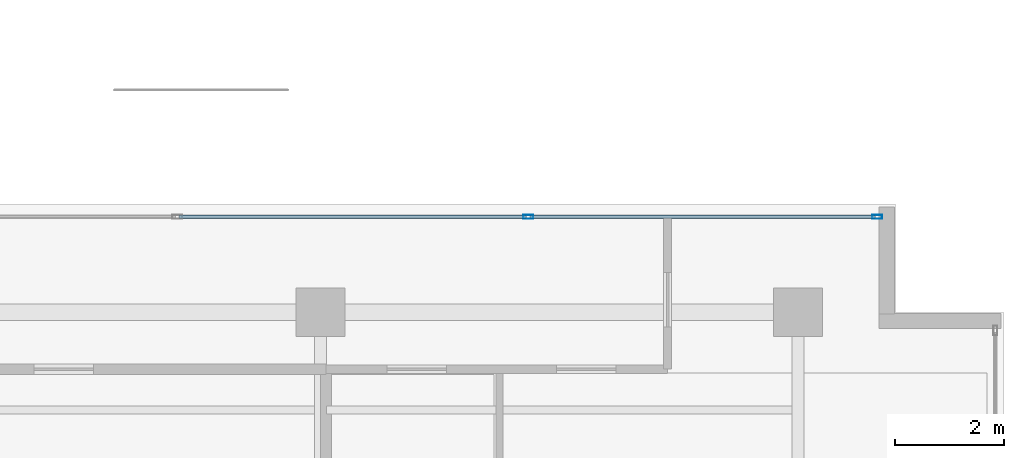
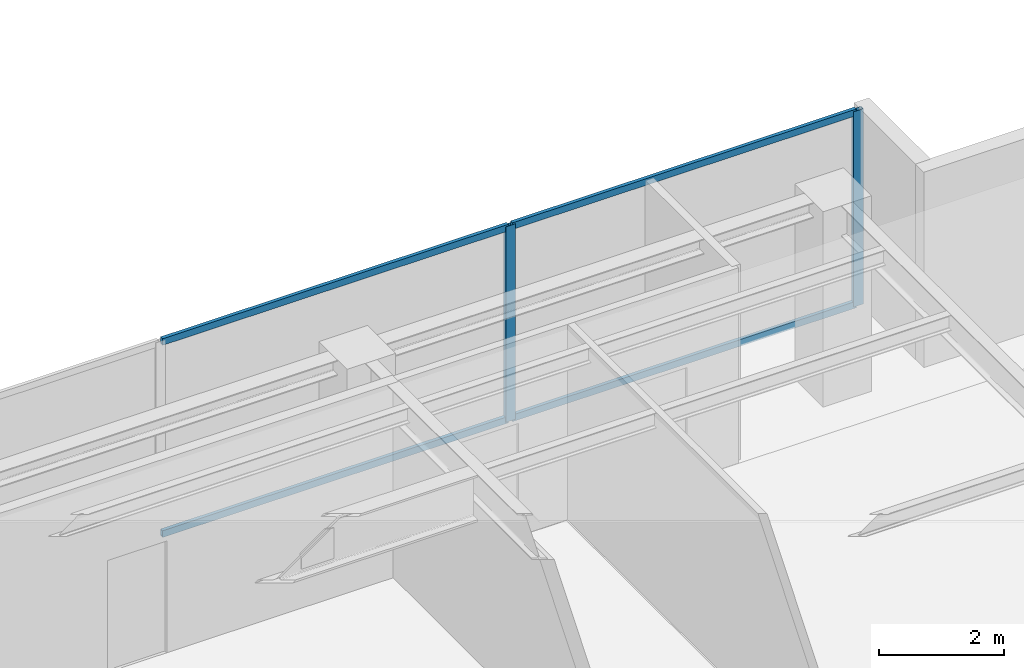
# One storey, part 19 of 32: 6 members, 1 element without a shape of its own.
"""IFC4 building model written with IfcOpenShell, lengths in metres."""

import ifcopenshell
import ifcopenshell.guid

model = None  # the IFC model being written
_history = None  # IfcOwnerHistory: only IFC2X3 demands one
_inside = {}  # id of a spatial element -> (the spatial element, [elements in it])
_under = {}  # id of a project, library or spatial element -> (it, [spatial elements below it])
_declared = {}  # id of a project -> (the project, [libraries it declares])
_typed = {}  # id of a type object -> (the type object, [elements of that type])
_made_of = {}  # id of a material, layer set ... -> (it, [elements and type objects made of it])


def new_model(schema):
    """Start an empty IFC model of exactly this schema.

    Asked for "IFC4X3", IfcOpenShell would pick the latest addendum, in which some entities
    have other attributes; the version numbers below select the first issue.
    IFC2X3 requires an IfcOwnerHistory on every rooted entity: one is made here for all.
    """
    global model, _history
    if schema == "IFC4X3":
        model = ifcopenshell.file(schema_version=(4, 3, 0, 0))
    else:
        model = ifcopenshell.file(schema=schema)
    _inside.clear()
    _under.clear()
    _declared.clear()
    _typed.clear()
    _made_of.clear()
    _history = None
    if model.schema == "IFC2X3":
        org = make("IfcOrganization", Name="unknown")
        user = make(
            "IfcPersonAndOrganization",
            ThePerson=make("IfcPerson", FamilyName="unknown"),
            TheOrganization=org,
        )
        app = make(
            "IfcApplication",
            ApplicationDeveloper=org,
            Version="unknown",
            ApplicationFullName="unknown",
            ApplicationIdentifier="unknown",
        )
        _history = make(
            "IfcOwnerHistory",
            OwningUser=user,
            OwningApplication=app,
            ChangeAction="ADDED",
            CreationDate=0,
        )
    return model


def make(cls, **values):
    """One entity of the class cls with the attributes given. An attribute that is None is left unset."""
    return model.create_entity(
        cls, **{name: value for name, value in values.items() if value is not None}
    )


def rooted(cls, **values):
    """An entity with a GlobalId (a new one), such as an element, a storey or a relation."""
    return make(cls, GlobalId=ifcopenshell.guid.new(), OwnerHistory=_history, **values)


def si_unit(unit_type, name, prefix=None):
    """IfcSIUnit, for example si_unit("LENGTHUNIT", "METRE", prefix="MILLI")."""
    return make("IfcSIUnit", UnitType=unit_type, Prefix=prefix, Name=name)


def assignment(units):
    """IfcUnitAssignment: the units of a project."""
    return None if units is None else make("IfcUnitAssignment", Units=units)


def point(xyz):
    """IfcCartesianPoint."""
    return None if xyz is None else make("IfcCartesianPoint", Coordinates=xyz)


def direction(xyz):
    """IfcDirection."""
    return None if xyz is None else make("IfcDirection", DirectionRatios=xyz)


def frame(location, z_axis=None, x_axis=None):
    """IfcAxis2Placement3D, a coordinate frame: its origin and axes. An axis left out is left unset."""
    return make(
        "IfcAxis2Placement3D",
        Location=point(location),
        Axis=direction(z_axis),
        RefDirection=direction(x_axis),
    )


def frame_2d(location, x_axis=None):
    """IfcAxis2Placement2D, a coordinate frame in the plane: its origin and x axis."""
    return make(
        "IfcAxis2Placement2D", Location=point(location), RefDirection=direction(x_axis)
    )


def origin():
    """The frame at (0, 0, 0) with its axes left unset."""
    return frame((0.0, 0.0, 0.0))


def origin_with_axes():
    """The frame at (0, 0, 0) with the z axis (0, 0, 1) and the x axis (1, 0, 0) written out."""
    return frame((0.0, 0.0, 0.0), z_axis=(0.0, 0.0, 1.0), x_axis=(1.0, 0.0, 0.0))


def origin_2d():
    """The frame at (0, 0) in the plane with its x axis left unset."""
    return frame_2d((0.0, 0.0))


def place(relative_to, where):
    """IfcLocalPlacement: puts the frame where relative to a parent placement (None: the world)."""
    return make(
        "IfcLocalPlacement", PlacementRelTo=relative_to, RelativePlacement=where
    )


def context(
    kind, dimensions, precision=None, world=None, true_north=None, identifier=None
):
    """IfcGeometricRepresentationContext, for example the 3D "Model" context."""
    return make(
        "IfcGeometricRepresentationContext",
        ContextIdentifier=identifier,
        ContextType=kind,
        CoordinateSpaceDimension=dimensions,
        Precision=precision,
        WorldCoordinateSystem=world,
        TrueNorth=true_north,
    )


def subcontext(parent, identifier, kind, view, scale=None):
    """IfcGeometricRepresentationSubContext, for example "Body" below "Model"."""
    return make(
        "IfcGeometricRepresentationSubContext",
        ContextIdentifier=identifier,
        ContextType=kind,
        ParentContext=parent,
        TargetScale=scale,
        TargetView=view,
    )


def project(units=None, contexts=None):
    """IfcProject with its units and contexts."""
    return rooted(
        "IfcProject",
        Name="project",
        RepresentationContexts=contexts,
        UnitsInContext=assignment(units),
    )


def spatial(cls, under=None, at=None, **own):
    """A site, building, storey or space (cls), placed at a placement, below another one or the project."""
    s = rooted(cls, ObjectPlacement=at, **own)
    if under is not None:
        _under.setdefault(under.id(), (under, []))[1].append(s)
    return s


def profile(cls, at=None, kind="AREA", **sizes):
    """A parametric profile (cls). Its sizes go by their IFC names, for example OverallWidth=200.0."""
    return make(cls, ProfileType=kind, Position=at, **sizes)


def hollow_rectangle(**sizes):
    """IfcRectangleHollowProfileDef."""
    return profile("IfcRectangleHollowProfileDef", **sizes)


def extrude(swept, where, along, depth):
    """IfcExtrudedAreaSolid: the profile swept, set in the frame where, extruded along a direction by depth."""
    return make(
        "IfcExtrudedAreaSolid",
        SweptArea=swept,
        Position=where,
        ExtrudedDirection=direction(along),
        Depth=depth,
    )


def shape(context_of_items, identifier, shape_type, items):
    """IfcShapeRepresentation: the items that make up one representation, for example the "Body"."""
    return make(
        "IfcShapeRepresentation",
        ContextOfItems=context_of_items,
        RepresentationIdentifier=identifier,
        RepresentationType=shape_type,
        Items=items,
    )


def source(mapping_origin, context_of_items, identifier, shape_type, items):
    """IfcRepresentationMap: a shape defined once, which mapped items show again and again."""
    return make(
        "IfcRepresentationMap",
        MappingOrigin=mapping_origin,
        MappedRepresentation=shape(context_of_items, identifier, shape_type, items),
    )


def transform(
    local_origin,
    x_axis=None,
    y_axis=None,
    z_axis=None,
    scale=None,
    scale2=None,
    scale3=None,
    uniform=True,
):
    """IfcCartesianTransformationOperator3D, or its non-uniform kind. x_axis, y_axis, z_axis: its Axis1, 2, 3."""
    if uniform:
        return make(
            "IfcCartesianTransformationOperator3D",
            Axis1=direction(x_axis),
            Axis2=direction(y_axis),
            LocalOrigin=point(local_origin),
            Scale=scale,
            Axis3=direction(z_axis),
        )
    return make(
        "IfcCartesianTransformationOperator3DnonUniform",
        Axis1=direction(x_axis),
        Axis2=direction(y_axis),
        LocalOrigin=point(local_origin),
        Scale=scale,
        Axis3=direction(z_axis),
        Scale2=scale2,
        Scale3=scale3,
    )


def mapped(mapping_source, mapping_target):
    """IfcMappedItem: shows the shape of a source again, moved by a transform."""
    return make(
        "IfcMappedItem", MappingSource=mapping_source, MappingTarget=mapping_target
    )


def material(Name=None, Category=None):
    """IfcMaterial."""
    return make("IfcMaterial", Name=Name, Category=Category)


def layer(
    of_material, thickness, ventilated=None, Name=None, Category=None, Priority=None
):
    """IfcMaterialLayer: one layer of a wall or slab, of a material (None: an air gap)."""
    return make(
        "IfcMaterialLayer",
        Material=of_material,
        LayerThickness=thickness,
        IsVentilated=ventilated,
        Name=Name,
        Category=Category,
        Priority=Priority,
    )


def layer_set(layers, Name=None):
    """IfcMaterialLayerSet."""
    return make("IfcMaterialLayerSet", MaterialLayers=layers, LayerSetName=Name)


def material_profile(
    of_material, cross_section, Name=None, Category=None, Priority=None
):
    """IfcMaterialProfile: a cross section and its material."""
    return make(
        "IfcMaterialProfile",
        Name=Name,
        Material=of_material,
        Profile=cross_section,
        Priority=Priority,
        Category=Category,
    )


def profile_set(profiles, Name=None, composite=None):
    """IfcMaterialProfileSet."""
    return make(
        "IfcMaterialProfileSet",
        Name=Name,
        MaterialProfiles=profiles,
        CompositeProfile=composite,
    )


def made_of(thing, what):
    """Note that an element or type object is made of a material, layer set ...; save() writes the relation."""
    if what is not None:
        _made_of.setdefault(what.id(), (what, []))[1].append(thing)
    return thing


def type_object(cls, material=None, **own):
    """A type object (cls), such as IfcWallType, which elements share."""
    return made_of(rooted(cls, **own), material)


def element(
    cls,
    number,
    at=None,
    inside=None,
    cuts=None,
    type_object=None,
    material=None,
    context=None,
    identifier="Body",
    shape_type=None,
    held_by="IfcProductDefinitionShape",
    body=None,
    shapes=None,
    **own,
):
    """One element of the class cls, such as IfcWall. Its Tag is "e" and its number.

    at: its placement. inside: the storey or other place that contains it. cuts: it is an
    opening in that element (IfcRelVoidsElement). A single representation is given by context,
    identifier, shape_type and body (its items); several are given by shapes. held_by: the class
    of the entity that holds the representations. save() writes the other relations.
    """
    e = rooted(cls, Tag="e%d" % number, ObjectPlacement=at, **own)
    if body is not None:
        shapes = [shape(context, identifier, shape_type, body)]
    if shapes is not None:
        e.Representation = make(held_by, Representations=shapes)
    if inside is not None:
        _inside.setdefault(inside.id(), (inside, []))[1].append(e)
    if cuts is not None:
        rooted(
            "IfcRelVoidsElement", RelatingBuildingElement=cuts, RelatedOpeningElement=e
        )
    if type_object is not None:
        _typed.setdefault(type_object.id(), (type_object, []))[1].append(e)
    return made_of(e, material)


def aggregate(whole, parts):
    """IfcRelAggregates: a whole, such as a stair, and the parts it consists of."""
    return rooted("IfcRelAggregates", RelatingObject=whole, RelatedObjects=parts)


def save(model, path):
    """Write the relations noted so far, then the file.

    IfcRelAggregates (storeys below a building ...), IfcRelContainedInSpatialStructure (elements
    in a storey), IfcRelDefinesByType, IfcRelAssociatesMaterial and IfcRelDeclares: one each for
    every whole, place, type object, material and project.
    """
    for whole, parts in _under.values():
        aggregate(whole, parts)
    for where, things in _inside.values():
        rooted(
            "IfcRelContainedInSpatialStructure",
            RelatedElements=things,
            RelatingStructure=where,
        )
    for kind, things in _typed.values():
        rooted("IfcRelDefinesByType", RelatedObjects=things, RelatingType=kind)
    for what, things in _made_of.values():
        rooted("IfcRelAssociatesMaterial", RelatedObjects=things, RelatingMaterial=what)
    for by, libraries in _declared.values():
        rooted("IfcRelDeclares", RelatingContext=by, RelatedDefinitions=libraries)
    model.write(path)


model = new_model("IFC4")

# Units and contexts
model_context = context("Model", 3, precision=1e-05, world=origin(), true_north=direction((0.0, 1.0)))
body_context = subcontext(model_context, "Body", "Model", "MODEL_VIEW")
ifc_project = project(units=[si_unit("LENGTHUNIT", "METRE"), si_unit("AREAUNIT", "SQUARE_METRE"), si_unit("VOLUMEUNIT", "CUBIC_METRE"), si_unit("PLANEANGLEUNIT", "RADIAN"), si_unit("MASSUNIT", "GRAM", prefix="KILO")], contexts=[model_context])

# Site, building, storey
site_placement = place(None, origin())
site = spatial("IfcSite", under=ifc_project, at=site_placement, CompositionType="ELEMENT")
building_placement = place(site_placement, origin())
building = spatial("IfcBuilding", under=site, at=building_placement, Name="Kolvaren Waterfront Exchange", CompositionType="ELEMENT")
storey_placement = place(building_placement, frame((0.0, 0.0, 352.0)))
storey = spatial("IfcBuildingStorey", under=building, at=storey_placement, Name="L90", CompositionType="ELEMENT", Elevation=352.0)

# Curtain wall, members
ifc_material = material(Name="Anodised bronze aluminium 6063-T6", Category="aluminium")
ifc_layer = layer(ifc_material, 0.219970703125, Name="Anodised bronze aluminium 6063-T6")
ifc_layer_set = layer_set([ifc_layer], Name="Anodised bronze aluminium 6063-T6")
curtain_wall_type = type_object("IfcCurtainWallType", Name="ARC-CW-SYS5", PredefinedType="USERDEFINED", material=ifc_layer_set)
curtain_wall_placement = place(storey_placement, origin())
curtain_wall = element("IfcCurtainWall", 1, at=curtain_wall_placement, inside=storey, type_object=curtain_wall_type, Name="L90 stick curtain wall CW5 (CW-L90-EN)", ObjectType="STICK CURTAIN WALL", PredefinedType="USERDEFINED")
ifc_material_profile_1 = material_profile(ifc_material, hollow_rectangle(XDim=0.06494140625, YDim=0.1298828125, WallThickness=0.00390625, at=origin_2d()), Name="ALU-TRN-130x65x4")
ifc_profile_set_1 = profile_set([ifc_material_profile_1], Name="Anodised bronze aluminium 6063-T6")
member_type_1 = type_object("IfcMemberType", Name="ARC-CWT-130", PredefinedType="USERDEFINED", material=ifc_profile_set_1)
shared_shape_1 = source(origin_with_axes(), body_context, "Body", "SweptSolid", [
    extrude(hollow_rectangle(XDim=0.06494140625, YDim=0.1298828125, WallThickness=0.00390625, at=origin_2d()), origin(), (0.0, 0.0, 1.0), 6.39501953125),
])
member_1_placement = place(storey_placement, frame((34.197509765625, 19.159912109375, 0.032470703125), z_axis=(1.0, 0.0, 0.0), x_axis=(0.0, 1.0, 0.0)))
member_1 = element("IfcMember", 2, at=member_1_placement, type_object=member_type_1, Name="CW5 transom 2.1", ObjectType="TRANSOM", PredefinedType="USERDEFINED", context=body_context, shape_type="MappedRepresentation", body=[
    mapped(shared_shape_1, transform((0.0, 0.0, 0.0), x_axis=(1.0, 0.0, 0.0), y_axis=(0.0, 1.0, 0.0), z_axis=(0.0, 0.0, 1.0), scale=1.0)),
])
member_2_placement = place(storey_placement, frame((34.197509765625, 19.159912109375, 3.78759765625), z_axis=(1.0, 0.0, 0.0), x_axis=(0.0, 1.0, 0.0)))
member_2 = element("IfcMember", 3, at=member_2_placement, type_object=member_type_1, Name="CW5 transom 2.2", ObjectType="TRANSOM", PredefinedType="USERDEFINED", context=body_context, shape_type="MappedRepresentation", body=[
    mapped(shared_shape_1, transform((0.0, 0.0, 0.0), x_axis=(1.0, 0.0, 0.0), y_axis=(0.0, 1.0, 0.0), z_axis=(0.0, 0.0, 1.0), scale=1.0)),
])
shared_shape_2 = source(origin_with_axes(), body_context, "Body", "SweptSolid", [
    extrude(hollow_rectangle(XDim=0.06494140625, YDim=0.1298828125, WallThickness=0.00390625, at=origin_2d()), origin(), (0.0, 0.0, 1.0), 6.357421875),
])
member_3_placement = place(storey_placement, frame((40.66748046875, 19.159912109375, 0.032470703125), z_axis=(1.0, 0.0, 0.0), x_axis=(0.0, 1.0, 0.0)))
member_3 = element("IfcMember", 4, at=member_3_placement, type_object=member_type_1, Name="CW5 transom 3.1", ObjectType="TRANSOM", PredefinedType="USERDEFINED", context=body_context, shape_type="MappedRepresentation", body=[
    mapped(shared_shape_2, transform((0.0, 0.0, 0.0), x_axis=(1.0, 0.0, 0.0), y_axis=(0.0, 1.0, 0.0), z_axis=(0.0, 0.0, 1.0), scale=1.0)),
])
member_4_placement = place(storey_placement, frame((40.66748046875, 19.159912109375, 3.78759765625), z_axis=(1.0, 0.0, 0.0), x_axis=(0.0, 1.0, 0.0)))
member_4 = element("IfcMember", 5, at=member_4_placement, type_object=member_type_1, Name="CW5 transom 3.2", ObjectType="TRANSOM", PredefinedType="USERDEFINED", context=body_context, shape_type="MappedRepresentation", body=[
    mapped(shared_shape_2, transform((0.0, 0.0, 0.0), x_axis=(1.0, 0.0, 0.0), y_axis=(0.0, 1.0, 0.0), z_axis=(0.0, 0.0, 1.0), scale=1.0)),
])
ifc_material_profile_2 = material_profile(ifc_material, hollow_rectangle(XDim=0.074951171875, YDim=0.179931640625, WallThickness=0.00439453125, at=origin_2d()), Name="ALU-MUL-180x75x4.5")
ifc_profile_set_2 = profile_set([ifc_material_profile_2], Name="Anodised bronze aluminium 6063-T6")
member_type_2 = type_object("IfcMemberType", Name="ARC-CWM-180", PredefinedType="MULLION", material=ifc_profile_set_2)
shared_shape_3 = source(origin_with_axes(), body_context, "Body", "SweptSolid", [
    extrude(hollow_rectangle(XDim=0.074951171875, YDim=0.179931640625, WallThickness=0.00439453125, at=origin_2d()), origin(), (0.0, 0.0, 1.0), 3.820068359375),
])
member_5_placement = place(storey_placement, frame((40.6298828125, 19.159912109375, 0.0), z_axis=(0.0, 0.0, 1.0), x_axis=(0.0, 1.0, 0.0)))
member_5 = element("IfcMember", 6, at=member_5_placement, type_object=member_type_2, Name="CW5 mullion 3", PredefinedType="MULLION", context=body_context, shape_type="MappedRepresentation", body=[
    mapped(shared_shape_3, transform((0.0, 0.0, 0.0), x_axis=(1.0, 0.0, 0.0), y_axis=(0.0, 1.0, 0.0), z_axis=(0.0, 0.0, 1.0), scale=1.0)),
])
member_6_placement = place(storey_placement, frame((47.0625, 19.159912109375, 0.0), z_axis=(0.0, 0.0, 1.0), x_axis=(0.0, 1.0, 0.0)))
member_6 = element("IfcMember", 7, at=member_6_placement, type_object=member_type_2, Name="CW5 mullion 4", PredefinedType="MULLION", context=body_context, shape_type="MappedRepresentation", body=[
    mapped(shared_shape_3, transform((0.0, 0.0, 0.0), x_axis=(1.0, 0.0, 0.0), y_axis=(0.0, 1.0, 0.0), z_axis=(0.0, 0.0, 1.0), scale=1.0)),
])
aggregate(curtain_wall, [member_5, member_6, member_1, member_2, member_3, member_4])

save(model, "model.ifc")
